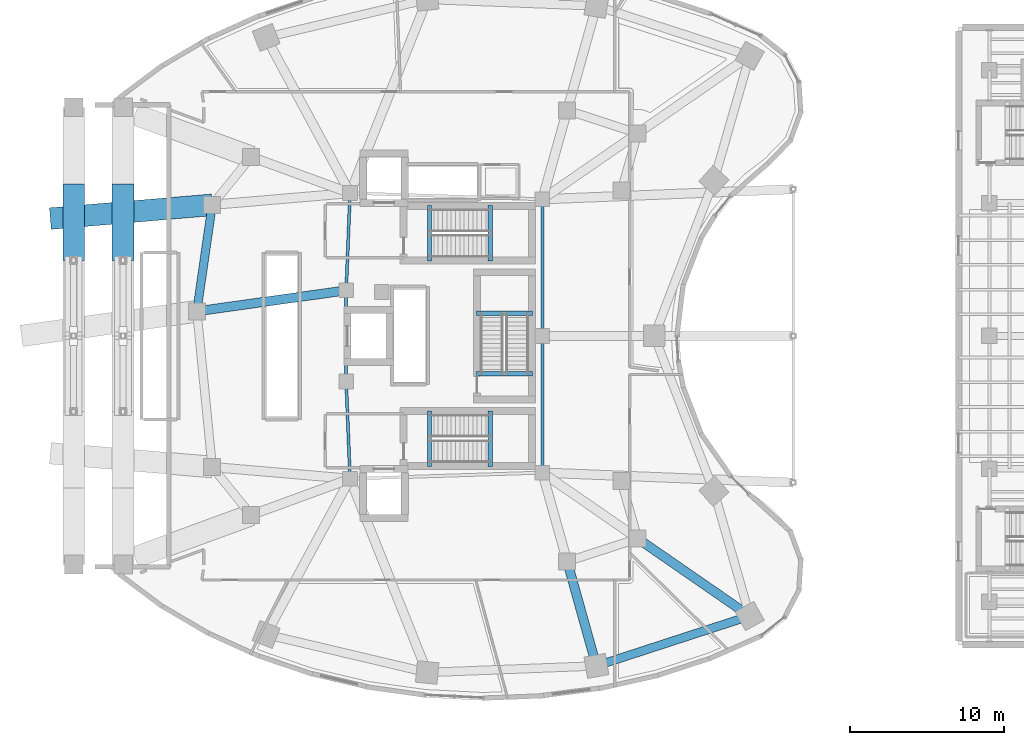
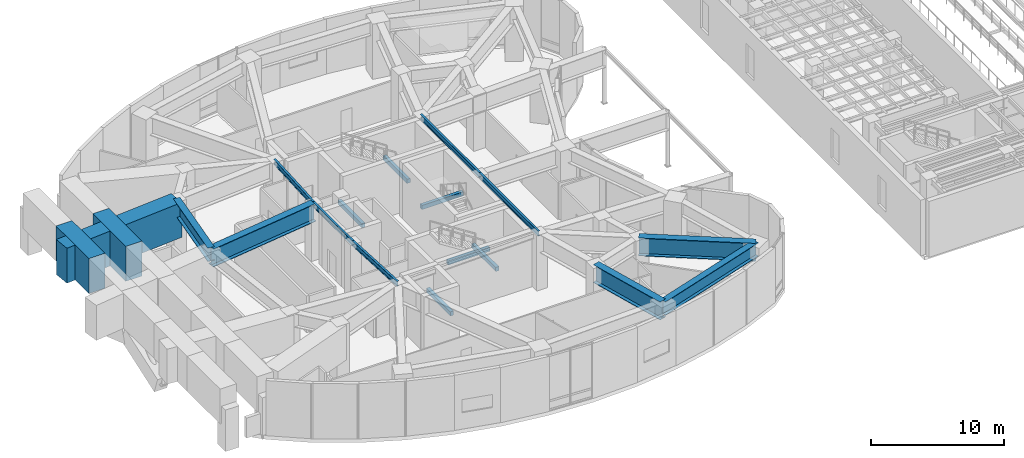
# One storey, part 7 of 23: 19 beams.
"""IFC4 building model written with IfcOpenShell, lengths in metres."""

import ifcopenshell
import ifcopenshell.guid

model = None  # the IFC model being written
_history = None  # IfcOwnerHistory: only IFC2X3 demands one
_inside = {}  # id of a spatial element -> (the spatial element, [elements in it])
_under = {}  # id of a project, library or spatial element -> (it, [spatial elements below it])
_declared = {}  # id of a project -> (the project, [libraries it declares])
_typed = {}  # id of a type object -> (the type object, [elements of that type])
_made_of = {}  # id of a material, layer set ... -> (it, [elements and type objects made of it])


def new_model(schema):
    """Start an empty IFC model of exactly this schema.

    Asked for "IFC4X3", IfcOpenShell would pick the latest addendum, in which some entities
    have other attributes; the version numbers below select the first issue.
    IFC2X3 requires an IfcOwnerHistory on every rooted entity: one is made here for all.
    """
    global model, _history
    if schema == "IFC4X3":
        model = ifcopenshell.file(schema_version=(4, 3, 0, 0))
    else:
        model = ifcopenshell.file(schema=schema)
    _inside.clear()
    _under.clear()
    _declared.clear()
    _typed.clear()
    _made_of.clear()
    _history = None
    if model.schema == "IFC2X3":
        org = make("IfcOrganization", Name="unknown")
        user = make(
            "IfcPersonAndOrganization",
            ThePerson=make("IfcPerson", FamilyName="unknown"),
            TheOrganization=org,
        )
        app = make(
            "IfcApplication",
            ApplicationDeveloper=org,
            Version="unknown",
            ApplicationFullName="unknown",
            ApplicationIdentifier="unknown",
        )
        _history = make(
            "IfcOwnerHistory",
            OwningUser=user,
            OwningApplication=app,
            ChangeAction="ADDED",
            CreationDate=0,
        )
    return model


def make(cls, **values):
    """One entity of the class cls with the attributes given. An attribute that is None is left unset."""
    return model.create_entity(
        cls, **{name: value for name, value in values.items() if value is not None}
    )


def rooted(cls, **values):
    """An entity with a GlobalId (a new one), such as an element, a storey or a relation."""
    return make(cls, GlobalId=ifcopenshell.guid.new(), OwnerHistory=_history, **values)


def si_unit(unit_type, name, prefix=None):
    """IfcSIUnit, for example si_unit("LENGTHUNIT", "METRE", prefix="MILLI")."""
    return make("IfcSIUnit", UnitType=unit_type, Prefix=prefix, Name=name)


def assignment(units):
    """IfcUnitAssignment: the units of a project."""
    return None if units is None else make("IfcUnitAssignment", Units=units)


def point(xyz):
    """IfcCartesianPoint."""
    return None if xyz is None else make("IfcCartesianPoint", Coordinates=xyz)


def direction(xyz):
    """IfcDirection."""
    return None if xyz is None else make("IfcDirection", DirectionRatios=xyz)


def frame(location, z_axis=None, x_axis=None):
    """IfcAxis2Placement3D, a coordinate frame: its origin and axes. An axis left out is left unset."""
    return make(
        "IfcAxis2Placement3D",
        Location=point(location),
        Axis=direction(z_axis),
        RefDirection=direction(x_axis),
    )


def frame_2d(location, x_axis=None):
    """IfcAxis2Placement2D, a coordinate frame in the plane: its origin and x axis."""
    return make(
        "IfcAxis2Placement2D", Location=point(location), RefDirection=direction(x_axis)
    )


def origin():
    """The frame at (0, 0, 0) with its axes left unset."""
    return frame((0.0, 0.0, 0.0))


def origin_2d():
    """The frame at (0, 0) in the plane with its x axis left unset."""
    return frame_2d((0.0, 0.0))


def place(relative_to, where):
    """IfcLocalPlacement: puts the frame where relative to a parent placement (None: the world)."""
    return make(
        "IfcLocalPlacement", PlacementRelTo=relative_to, RelativePlacement=where
    )


def context(
    kind, dimensions, precision=None, world=None, true_north=None, identifier=None
):
    """IfcGeometricRepresentationContext, for example the 3D "Model" context."""
    return make(
        "IfcGeometricRepresentationContext",
        ContextIdentifier=identifier,
        ContextType=kind,
        CoordinateSpaceDimension=dimensions,
        Precision=precision,
        WorldCoordinateSystem=world,
        TrueNorth=true_north,
    )


def subcontext(parent, identifier, kind, view, scale=None):
    """IfcGeometricRepresentationSubContext, for example "Body" below "Model"."""
    return make(
        "IfcGeometricRepresentationSubContext",
        ContextIdentifier=identifier,
        ContextType=kind,
        ParentContext=parent,
        TargetScale=scale,
        TargetView=view,
    )


def project(units=None, contexts=None):
    """IfcProject with its units and contexts."""
    return rooted(
        "IfcProject",
        Name="project",
        RepresentationContexts=contexts,
        UnitsInContext=assignment(units),
    )


def spatial(cls, under=None, at=None, **own):
    """A site, building, storey or space (cls), placed at a placement, below another one or the project."""
    s = rooted(cls, ObjectPlacement=at, **own)
    if under is not None:
        _under.setdefault(under.id(), (under, []))[1].append(s)
    return s


def profile(cls, at=None, kind="AREA", **sizes):
    """A parametric profile (cls). Its sizes go by their IFC names, for example OverallWidth=200.0."""
    return make(cls, ProfileType=kind, Position=at, **sizes)


def rectangle(**sizes):
    """IfcRectangleProfileDef."""
    return profile("IfcRectangleProfileDef", **sizes)


def i_section(**sizes):
    """IfcIShapeProfileDef."""
    return profile("IfcIShapeProfileDef", **sizes)


def extrude(swept, where, along, depth):
    """IfcExtrudedAreaSolid: the profile swept, set in the frame where, extruded along a direction by depth."""
    return make(
        "IfcExtrudedAreaSolid",
        SweptArea=swept,
        Position=where,
        ExtrudedDirection=direction(along),
        Depth=depth,
    )


def shape(context_of_items, identifier, shape_type, items):
    """IfcShapeRepresentation: the items that make up one representation, for example the "Body"."""
    return make(
        "IfcShapeRepresentation",
        ContextOfItems=context_of_items,
        RepresentationIdentifier=identifier,
        RepresentationType=shape_type,
        Items=items,
    )


def material(Name=None, Category=None):
    """IfcMaterial."""
    return make("IfcMaterial", Name=Name, Category=Category)


def material_profile(
    of_material, cross_section, Name=None, Category=None, Priority=None
):
    """IfcMaterialProfile: a cross section and its material."""
    return make(
        "IfcMaterialProfile",
        Name=Name,
        Material=of_material,
        Profile=cross_section,
        Priority=Priority,
        Category=Category,
    )


def profile_set(profiles, Name=None, composite=None):
    """IfcMaterialProfileSet."""
    return make(
        "IfcMaterialProfileSet",
        Name=Name,
        MaterialProfiles=profiles,
        CompositeProfile=composite,
    )


def made_of(thing, what):
    """Note that an element or type object is made of a material, layer set ...; save() writes the relation."""
    if what is not None:
        _made_of.setdefault(what.id(), (what, []))[1].append(thing)
    return thing


def type_object(cls, material=None, **own):
    """A type object (cls), such as IfcWallType, which elements share."""
    return made_of(rooted(cls, **own), material)


def element(
    cls,
    number,
    at=None,
    inside=None,
    cuts=None,
    type_object=None,
    material=None,
    context=None,
    identifier="Body",
    shape_type=None,
    held_by="IfcProductDefinitionShape",
    body=None,
    shapes=None,
    **own,
):
    """One element of the class cls, such as IfcWall. Its Tag is "e" and its number.

    at: its placement. inside: the storey or other place that contains it. cuts: it is an
    opening in that element (IfcRelVoidsElement). A single representation is given by context,
    identifier, shape_type and body (its items); several are given by shapes. held_by: the class
    of the entity that holds the representations. save() writes the other relations.
    """
    e = rooted(cls, Tag="e%d" % number, ObjectPlacement=at, **own)
    if body is not None:
        shapes = [shape(context, identifier, shape_type, body)]
    if shapes is not None:
        e.Representation = make(held_by, Representations=shapes)
    if inside is not None:
        _inside.setdefault(inside.id(), (inside, []))[1].append(e)
    if cuts is not None:
        rooted(
            "IfcRelVoidsElement", RelatingBuildingElement=cuts, RelatedOpeningElement=e
        )
    if type_object is not None:
        _typed.setdefault(type_object.id(), (type_object, []))[1].append(e)
    return made_of(e, material)


def aggregate(whole, parts):
    """IfcRelAggregates: a whole, such as a stair, and the parts it consists of."""
    return rooted("IfcRelAggregates", RelatingObject=whole, RelatedObjects=parts)


def save(model, path):
    """Write the relations noted so far, then the file.

    IfcRelAggregates (storeys below a building ...), IfcRelContainedInSpatialStructure (elements
    in a storey), IfcRelDefinesByType, IfcRelAssociatesMaterial and IfcRelDeclares: one each for
    every whole, place, type object, material and project.
    """
    for whole, parts in _under.values():
        aggregate(whole, parts)
    for where, things in _inside.values():
        rooted(
            "IfcRelContainedInSpatialStructure",
            RelatedElements=things,
            RelatingStructure=where,
        )
    for kind, things in _typed.values():
        rooted("IfcRelDefinesByType", RelatedObjects=things, RelatingType=kind)
    for what, things in _made_of.values():
        rooted("IfcRelAssociatesMaterial", RelatedObjects=things, RelatingMaterial=what)
    for by, libraries in _declared.values():
        rooted("IfcRelDeclares", RelatingContext=by, RelatedDefinitions=libraries)
    model.write(path)


model = new_model("IFC4")

# Units and contexts
model_context = context("Model", 3, precision=1e-05, world=origin(), true_north=direction((0.0, 1.0)))
body_context = subcontext(model_context, "Body", "Model", "MODEL_VIEW")
ifc_project = project(units=[si_unit("LENGTHUNIT", "METRE"), si_unit("AREAUNIT", "SQUARE_METRE"), si_unit("VOLUMEUNIT", "CUBIC_METRE"), si_unit("PLANEANGLEUNIT", "RADIAN"), si_unit("MASSUNIT", "GRAM", prefix="KILO")], contexts=[model_context])

# Site, building, storey
site_placement = place(None, origin())
site = spatial("IfcSite", under=ifc_project, at=site_placement, CompositionType="ELEMENT")
building_placement = place(site_placement, origin())
building = spatial("IfcBuilding", under=site, at=building_placement, Name="Korentha Bioscience Tower", CompositionType="ELEMENT")
storey_placement = place(building_placement, frame((0.0, 0.0, 15.0)))
storey = spatial("IfcBuildingStorey", under=building, at=storey_placement, Name="L03", CompositionType="ELEMENT", Elevation=15.0)

# Beams
ifc_material_1 = material(Name="Concrete C50", Category="concrete")
ifc_material_profile_1 = material_profile(ifc_material_1, rectangle(XDim=0.280029296875, YDim=0.3798828125, at=origin_2d()), Name="Concrete C50")
ifc_profile_set_1 = profile_set([ifc_material_profile_1], Name="Concrete C50 (ST-HB380)")
beam_type_1 = type_object("IfcBeamType", Name="Concrete Stair Header Beam RC 280x380", PredefinedType="BEAM", material=ifc_profile_set_1)
for number, where, z_axis, x_axis, name in (
    (1, (30.25, 31.85009765625, -0.18994140625), (0.0, 1.0, 0.0), (-1.0, 0.0, 0.0), "L03 ST-1 Concrete Stair Header Beam"),
    (2, (34.169921875, 31.85009765625, 2.510009765625), (0.0, 1.0, 0.0), (-1.0, 0.0, 0.0), "L03 ST-1 Half-Landing Header Beam 1"),
    (3, (30.25, 18.550048828125, -0.18994140625), (0.0, 1.0, 0.0), (-1.0, 0.0, 0.0), "L03 ST-2 Concrete Stair Header Beam"),
    (4, (34.169921875, 18.550048828125, 2.510009765625), (0.0, 1.0, 0.0), (-1.0, 0.0, 0.0), "L03 ST-2 Half-Landing Header Beam 1"),
    (5, (36.89990234375, 24.550048828125, -0.18994140625), (-1.0, 0.0, 0.0), (0.0, -1.0, 0.0), "L03 ST-3 Concrete Stair Header Beam"),
    (6, (36.89990234375, 28.469970703125, 2.510009765625), (-1.0, 0.0, 0.0), (0.0, -1.0, 0.0), "L03 ST-3 Half-Landing Header Beam 1"),
):
    element("IfcBeam", number, at=place(storey_placement, frame(where, z_axis=z_axis, x_axis=x_axis)), inside=storey, type_object=beam_type_1, Name=name, PredefinedType="BEAM", context=body_context, shape_type="SweptSolid", body=[
        extrude(rectangle(XDim=0.280029296875, YDim=0.3798828125, at=origin_2d()), origin(), (0.0, 0.0, 1.0), 3.599853515625),
    ])
ifc_material_2 = material(Name="Steel S355", Category="steel")
ifc_material_profile_2 = material_profile(ifc_material_2, i_section(OverallWidth=0.550048828125, OverallDepth=1.25, WebThickness=0.02392578125, FlangeThickness=0.0400390625, at=origin_2d()), Name="Steel S355")
ifc_profile_set_2 = profile_set([ifc_material_profile_2], Name="Steel S355 (TG-03)")
beam_type_2 = type_object("IfcBeamType", Name="Crown Step Transfer Girder CVS 1250x510", PredefinedType="USERDEFINED", material=ifc_profile_set_2)
beam_1_placement = place(storey_placement, frame((16.174072265625, 35.489013671875, 4.425048828125), z_axis=(-0.14286846228, -0.989741684727, 0.0), x_axis=(0.989741684727, -0.14286846228, 0.0)))
element("IfcBeam", 7, at=beam_1_placement, inside=storey, type_object=beam_type_2, Name="L03 Mid-Ring Tie Girder 06", ObjectType="TRANSFER_GIRDER", PredefinedType="USERDEFINED", context=body_context, shape_type="SweptSolid", body=[
    extrude(i_section(OverallWidth=0.550048828125, OverallDepth=1.25, WebThickness=0.02392578125, FlangeThickness=0.0400390625, at=origin_2d()), origin(), (0.0, 0.0, 1.0), 6.967041015625),
])
beam_2_placement = place(storey_placement, frame((41.052490234375, 5.63330078125, 4.425048828125), z_axis=(0.95087511444, 0.309574735305, 0.0), x_axis=(-0.309574735305, 0.95087511444, 0.0)))
element("IfcBeam", 8, at=beam_2_placement, inside=storey, type_object=beam_type_2, Name="L03 Perimeter Spandrel Girder 12", ObjectType="TRANSFER_GIRDER", PredefinedType="USERDEFINED", context=body_context, shape_type="SweptSolid", body=[
    extrude(i_section(OverallWidth=0.550048828125, OverallDepth=1.25, WebThickness=0.02392578125, FlangeThickness=0.0400390625, at=origin_2d()), origin(), (0.0, 0.0, 1.0), 10.4375),
])
ifc_material_profile_3 = material_profile(ifc_material_2, i_section(OverallWidth=0.60009765625, OverallDepth=1.64990234375, WebThickness=0.02587890625, FlangeThickness=0.0439453125, at=origin_2d()), Name="Steel S355")
ifc_profile_set_3 = profile_set([ifc_material_profile_3], Name="Steel S355 (TG-04)")
beam_type_3 = type_object("IfcBeamType", Name="Deep Setback Transfer Girder CVS 1650x620", PredefinedType="USERDEFINED", material=ifc_profile_set_3)
beam_3_placement = place(storey_placement, frame((24.85009765625, 29.949951171875, 4.22509765625), z_axis=(-0.990307253072, -0.138894004596, 0.0), x_axis=(0.138894004596, -0.990307253072, 0.0)))
element("IfcBeam", 9, at=beam_3_placement, inside=storey, type_object=beam_type_3, Name="L03 Inner Radial Transfer Girder 07", ObjectType="TRANSFER_GIRDER", PredefinedType="USERDEFINED", context=body_context, shape_type="SweptSolid", body=[
    extrude(i_section(OverallWidth=0.60009765625, OverallDepth=1.64990234375, WebThickness=0.02587890625, FlangeThickness=0.0439453125, at=origin_2d()), origin(), (0.0, 0.0, 1.0), 9.76611328125),
])
beam_4_placement = place(storey_placement, frame((39.1611328125, 12.392333984375, 4.22509765625), z_axis=(0.269475095129, -0.963007358801, 0.0), x_axis=(0.963007358801, 0.269475095129, 0.0)))
element("IfcBeam", 10, at=beam_4_placement, inside=storey, type_object=beam_type_3, Name="L03 Outer Radial Transfer Girder 12", ObjectType="TRANSFER_GIRDER", PredefinedType="USERDEFINED", context=body_context, shape_type="SweptSolid", body=[
    extrude(i_section(OverallWidth=0.60009765625, OverallDepth=1.64990234375, WebThickness=0.02587890625, FlangeThickness=0.0439453125, at=origin_2d()), origin(), (0.0, 0.0, 1.0), 7.0185546875),
])
beam_5_placement = place(storey_placement, frame((43.7265625, 13.878662109375, 4.22509765625), z_axis=(0.822488186113, -0.568782193555, 0.0), x_axis=(0.568782193555, 0.822488186113, 0.0)))
element("IfcBeam", 11, at=beam_5_placement, inside=storey, type_object=beam_type_3, Name="L03 Outer Radial Transfer Girder 13", ObjectType="TRANSFER_GIRDER", PredefinedType="USERDEFINED", context=body_context, shape_type="SweptSolid", body=[
    extrude(i_section(OverallWidth=0.60009765625, OverallDepth=1.64990234375, WebThickness=0.02587890625, FlangeThickness=0.0439453125, at=origin_2d()), origin(), (0.0, 0.0, 1.0), 8.815673828125),
])
ifc_material_profile_4 = material_profile(ifc_material_2, i_section(OverallWidth=0.18994140625, OverallDepth=0.45703125, WebThickness=0.009033203125, FlangeThickness=0.014404296875, at=origin_2d()), Name="Steel S355")
ifc_profile_set_4 = profile_set([ifc_material_profile_4], Name="Steel S355 (MB-460)")
beam_type_4 = type_object("IfcBeamType", Name="Mid-Ring Tie Girder W460x74", PredefinedType="BEAM", material=ifc_profile_set_4)
beam_6_placement = place(storey_placement, frame((25.10009765625, 36.25, 4.821533203125), z_axis=(-0.039651025576, -0.999213588864, 0.0), x_axis=(0.999213588864, -0.039651025576, 0.0)))
element("IfcBeam", 12, at=beam_6_placement, inside=storey, type_object=beam_type_4, Name="L03 Core Ring Tie Girder 02", PredefinedType="BEAM", context=body_context, shape_type="SweptSolid", body=[
    extrude(i_section(OverallWidth=0.18994140625, OverallDepth=0.45703125, WebThickness=0.009033203125, FlangeThickness=0.014404296875, at=origin_2d()), origin(), (0.0, 0.0, 1.0), 6.304931640625),
])
beam_7_placement = place(storey_placement, frame((24.85009765625, 29.949951171875, 4.821533203125), z_axis=(0.0, -1.0, 0.0), x_axis=(1.0, 0.0, 0.0)))
element("IfcBeam", 13, at=beam_7_placement, inside=storey, type_object=beam_type_4, Name="L03 Core Ring Tie Girder 03", PredefinedType="BEAM", context=body_context, shape_type="SweptSolid", body=[
    extrude(i_section(OverallWidth=0.18994140625, OverallDepth=0.45703125, WebThickness=0.009033203125, FlangeThickness=0.014404296875, at=origin_2d()), origin(), (0.0, 0.0, 1.0), 5.89990234375),
])
beam_8_placement = place(storey_placement, frame((24.85009765625, 24.050048828125, 4.821533203125), z_axis=(0.039651025576, -0.999213588864, 0.0), x_axis=(0.999213588864, 0.039651025576, 0.0)))
element("IfcBeam", 14, at=beam_8_placement, inside=storey, type_object=beam_type_4, Name="L03 Core Ring Tie Girder 04", PredefinedType="BEAM", context=body_context, shape_type="SweptSolid", body=[
    extrude(i_section(OverallWidth=0.18994140625, OverallDepth=0.45703125, WebThickness=0.009033203125, FlangeThickness=0.014404296875, at=origin_2d()), origin(), (0.0, 0.0, 1.0), 6.304931640625),
])
for number, where, z_axis, x_axis, name in (
    (15, (37.550048828125, 18.14990234375, 4.821533203125), (0.0, 1.0, 0.0), (-1.0, 0.0, 0.0), "L03 Core Ring Tie Girder 06"),
    (16, (37.550048828125, 27.0, 4.821533203125), (0.0, 1.0, 0.0), (-1.0, 0.0, 0.0), "L03 Core Ring Tie Girder 07"),
):
    element("IfcBeam", number, at=place(storey_placement, frame(where, z_axis=z_axis, x_axis=x_axis)), inside=storey, type_object=beam_type_4, Name=name, PredefinedType="BEAM", context=body_context, shape_type="SweptSolid", body=[
        extrude(i_section(OverallWidth=0.18994140625, OverallDepth=0.45703125, WebThickness=0.009033203125, FlangeThickness=0.014404296875, at=origin_2d()), origin(), (0.0, 0.0, 1.0), 8.85009765625),
    ])
ifc_material_3 = material(Name="Concrete C80", Category="concrete")
ifc_material_profile_5 = material_profile(ifc_material_3, rectangle(XDim=1.39990234375, YDim=3.199951171875, at=origin_2d()), Name="Concrete C80")
ifc_profile_set_5 = profile_set([ifc_material_profile_5], Name="Concrete C80 (TG-01)")
beam_type_5 = type_object("IfcBeamType", Name="Plaza Arch Transfer Girder 1400x3200", PredefinedType="USERDEFINED", material=ifc_profile_set_5)
for number, where, z_axis, x_axis, name in (
    (17, (7.199951171875, 31.89990234375, 3.449951171875), (0.0, 1.0, 0.0), (-1.0, 0.0, 0.0), "L03 Plaza Arch Transfer Girder 1-5"),
    (18, (10.39990234375, 31.89990234375, 3.449951171875), (0.0, 1.0, 0.0), (-1.0, 0.0, 0.0), "L03 Plaza Arch Transfer Girder 2-5"),
):
    element("IfcBeam", number, at=place(storey_placement, frame(where, z_axis=z_axis, x_axis=x_axis)), inside=storey, type_object=beam_type_5, Name=name, ObjectType="TRANSFER_GIRDER", PredefinedType="USERDEFINED", context=body_context, shape_type="SweptSolid", body=[
        extrude(rectangle(XDim=1.39990234375, YDim=3.199951171875, at=origin_2d()), origin(), (0.0, 0.0, 1.0), 4.9501953125),
    ])
beam_9_placement = place(storey_placement, frame((16.174072265625, 35.489013671875, 3.449951171875), z_axis=(-0.996385601055, -0.084945476695, 0.0), x_axis=(0.084945476695, -0.996385601055, 0.0)))
element("IfcBeam", 19, at=beam_9_placement, inside=storey, type_object=beam_type_5, Name="L03 Radial Arch Transfer Girder 06", ObjectType="TRANSFER_GIRDER", PredefinedType="USERDEFINED", context=body_context, shape_type="SweptSolid", body=[
    extrude(rectangle(XDim=1.39990234375, YDim=3.199951171875, at=origin_2d()), origin(), (0.0, 0.0, 1.0), 10.516357421875),
])

save(model, "model.ifc")
